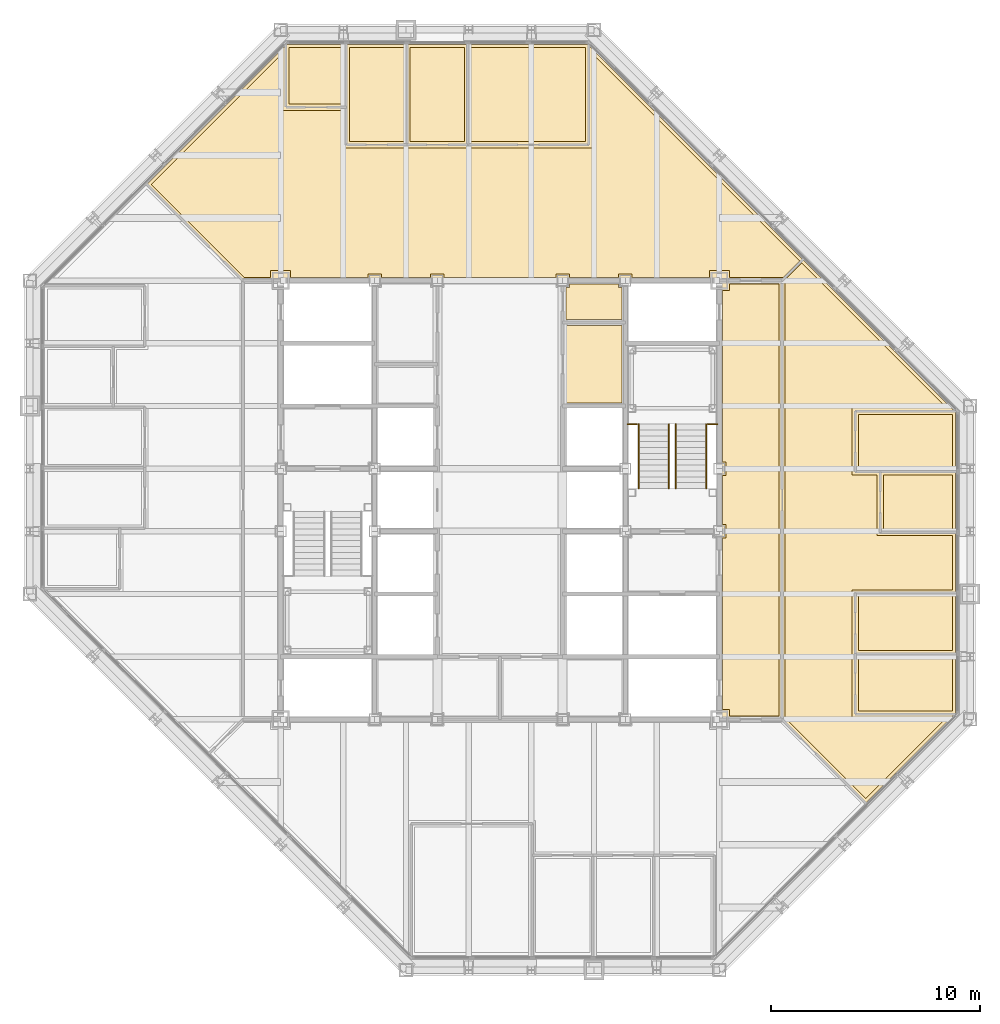
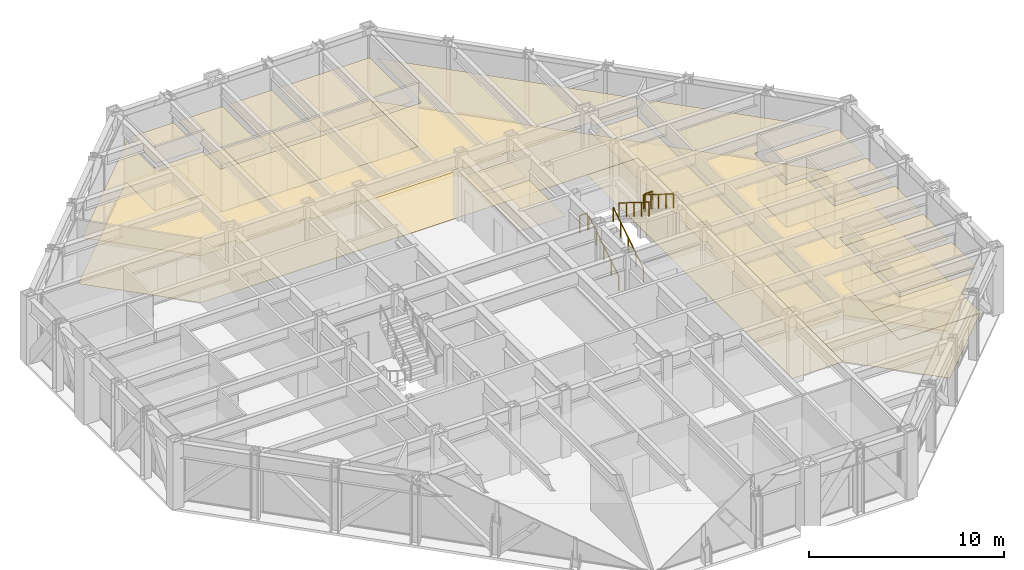
# One storey, part 16 of 16: 23 coverings, 6 railings.
"""IFC4 building model written with IfcOpenShell, lengths in metres."""

from ifc_helpers import new_model, si_unit, direction, frame, origin, origin_2d, place, context, subcontext, project, spatial, polyline, circle, outline, extrude, material, layer, layer_set, type_object, element, save


model = new_model("IFC4")

# Units and contexts
model_context = context("Model", 3, precision=1e-05, world=origin(), true_north=direction((0.0, 1.0)))
body_context = subcontext(model_context, "Body", "Model", "MODEL_VIEW")
ifc_project = project(units=[si_unit("LENGTHUNIT", "METRE"), si_unit("AREAUNIT", "SQUARE_METRE"), si_unit("VOLUMEUNIT", "CUBIC_METRE"), si_unit("PLANEANGLEUNIT", "RADIAN"), si_unit("MASSUNIT", "GRAM", prefix="KILO")], contexts=[model_context])

# Site, building, storey
site_placement = place(None, origin())
site = spatial("IfcSite", under=ifc_project, at=site_placement, CompositionType="ELEMENT")
building_placement = place(site_placement, origin())
building = spatial("IfcBuilding", under=site, at=building_placement, Name="Chuquiago Exchange Tower", CompositionType="ELEMENT")
storey_placement = place(building_placement, frame((0.0, 0.0, 226.5)))
storey = spatial("IfcBuildingStorey", under=building, at=storey_placement, Name="L50", CompositionType="ELEMENT", Elevation=226.5)

# Coverings
ifc_material_1 = material(Name="Mineral fibre tile, 600 x 600, on pale metal grid", Category="mineral fibre")
ifc_layer_1 = layer(ifc_material_1, 0.02001953125)
ifc_layer_set_1 = layer_set([ifc_layer_1], Name="CL1 suspended tile ceiling 20")
covering_type_1 = type_object("IfcCoveringType", Name="CL1 suspended tile ceiling 20", PredefinedType="CEILING", material=ifc_layer_set_1)
covering_1_placement = place(storey_placement, frame((0.0, 0.0, 2.800048828125)))
element("IfcCovering", 1, at=covering_1_placement, inside=storey, type_object=covering_type_1, Name="Ceiling Compliance office", PredefinedType="CEILING", context=body_context, shape_type="SweptSolid", body=[
    extrude(outline(polyline([(39.64990234375, 12.3984375), (39.64990234375, 14.9990234375), (44.14990234375, 14.9990234375), (44.14990234375, 12.3984375), (39.64990234375, 12.3984375)])), origin(), (0.0, 0.0, 1.0), 0.02001953125),
])
covering_2_placement = place(storey_placement, frame((0.0, 0.0, 2.800048828125)))
element("IfcCovering", 2, at=covering_2_placement, inside=storey, type_object=covering_type_1, Name="Ceiling Compliance office", PredefinedType="CEILING", context=body_context, shape_type="SweptSolid", body=[
    extrude(outline(polyline([(39.64990234375, 15.299072265625), (39.64990234375, 17.899658203125), (44.14990234375, 17.899658203125), (44.14990234375, 15.299072265625), (39.64990234375, 15.299072265625)])), origin(), (0.0, 0.0, 1.0), 0.02001953125),
])
covering_3_placement = place(storey_placement, frame((0.0, 0.0, 2.800048828125)))
element("IfcCovering", 3, at=covering_3_placement, inside=storey, type_object=covering_type_1, Name="Ceiling Pantry", PredefinedType="CEILING", context=body_context, shape_type="SweptSolid", body=[
    extrude(outline(polyline([(40.85009765625, 21.100341796875), (40.85009765625, 23.700927734375), (44.14990234375, 23.700927734375), (44.14990234375, 21.100341796875), (40.85009765625, 21.100341796875)])), origin(), (0.0, 0.0, 1.0), 0.02001953125),
])
covering_4_placement = place(storey_placement, frame((0.0, 0.0, 2.800048828125)))
element("IfcCovering", 4, at=covering_4_placement, inside=storey, type_object=covering_type_1, Name="Ceiling Meeting room", PredefinedType="CEILING", context=body_context, shape_type="SweptSolid", body=[
    extrude(outline(polyline([(44.14990234375, 24.0009765625), (39.64990234375, 24.0009765625), (39.64990234375, 26.6015625), (44.14990234375, 26.6015625), (44.14990234375, 24.0009765625)])), origin(), (0.0, 0.0, 1.0), 0.02001953125),
])
covering_5_placement = place(storey_placement, frame((0.0, 0.0, 2.800048828125)))
element("IfcCovering", 5, at=covering_5_placement, inside=storey, type_object=covering_type_1, Name="Ceiling Focus room", PredefinedType="CEILING", context=body_context, shape_type="SweptSolid", body=[
    extrude(outline(polyline([(14.9990234375, 44.14990234375), (14.9990234375, 41.449951171875), (12.3984375, 41.449951171875), (12.3984375, 44.14990234375), (14.9990234375, 44.14990234375)])), origin(), (0.0, 0.0, 1.0), 0.02001953125),
])
covering_6_placement = place(storey_placement, frame((0.0, 0.0, 2.800048828125)))
element("IfcCovering", 6, at=covering_6_placement, inside=storey, type_object=covering_type_1, Name="Ceiling Compliance office", PredefinedType="CEILING", context=body_context, shape_type="SweptSolid", body=[
    extrude(outline(polyline([(17.899658203125, 39.64990234375), (15.299072265625, 39.64990234375), (15.299072265625, 44.14990234375), (17.899658203125, 44.14990234375), (17.899658203125, 39.64990234375)])), origin(), (0.0, 0.0, 1.0), 0.02001953125),
])
covering_7_placement = place(storey_placement, frame((0.0, 0.0, 2.800048828125)))
element("IfcCovering", 7, at=covering_7_placement, inside=storey, type_object=covering_type_1, Name="Ceiling Compliance office", PredefinedType="CEILING", context=body_context, shape_type="SweptSolid", body=[
    extrude(outline(polyline([(20.80029296875, 39.64990234375), (18.19970703125, 39.64990234375), (18.19970703125, 44.14990234375), (20.80029296875, 44.14990234375), (20.80029296875, 39.64990234375)])), origin(), (0.0, 0.0, 1.0), 0.02001953125),
])
covering_8_placement = place(storey_placement, frame((0.0, 0.0, 2.800048828125)))
element("IfcCovering", 8, at=covering_8_placement, inside=storey, type_object=covering_type_1, Name="Ceiling Meeting room", PredefinedType="CEILING", context=body_context, shape_type="SweptSolid", body=[
    extrude(outline(polyline([(26.6015625, 39.64990234375), (21.100341796875, 39.64990234375), (21.100341796875, 44.14990234375), (26.6015625, 44.14990234375), (26.6015625, 39.64990234375)])), origin(), (0.0, 0.0, 1.0), 0.02001953125),
])
covering_9_placement = place(storey_placement, frame((0.0, 0.0, 2.800048828125)))
element("IfcCovering", 9, at=covering_9_placement, inside=storey, type_object=covering_type_1, Name="Ceiling Circulation corridor", PredefinedType="CEILING", context=body_context, shape_type="SweptSolid", body=[
    extrude(outline(polyline([(35.85009765625, 32.85009765625), (35.85009765625, 12.14990234375), (33.47509765625, 12.14990234375), (33.47509765625, 12.47509765625), (33.14990234375, 12.47509765625), (33.14990234375, 20.675048828125), (33.324951171875, 20.675048828125), (33.324951171875, 21.324951171875), (33.14990234375, 21.324951171875), (33.14990234375, 23.675048828125), (33.324951171875, 23.675048828125), (33.324951171875, 24.324951171875), (33.14990234375, 24.324951171875), (33.14990234375, 32.52490234375), (33.47509765625, 32.52490234375), (33.47509765625, 32.85009765625), (35.85009765625, 32.85009765625)])), origin(), (0.0, 0.0, 1.0), 0.02001953125),
])
covering_10_placement = place(storey_placement, frame((0.0, 0.0, 2.800048828125)))
element("IfcCovering", 10, at=covering_10_placement, inside=storey, type_object=covering_type_1, Name="Ceiling Open office north", PredefinedType="CEILING", context=body_context, shape_type="SweptSolid", body=[
    extrude(outline(polyline([(14.9990234375, 41.14990234375), (14.9990234375, 39.35009765625), (26.901611328125, 39.35009765625), (26.901611328125, 43.896484375), (36.849609375, 33.948486328125), (36.051025390625, 33.14990234375), (33.47509765625, 33.14990234375), (33.47509765625, 33.47509765625), (32.52490234375, 33.47509765625), (32.52490234375, 33.14990234375), (28.824951171875, 33.14990234375), (28.824951171875, 33.324951171875), (28.175048828125, 33.324951171875), (28.175048828125, 33.14990234375), (25.824951171875, 33.14990234375), (25.824951171875, 33.324951171875), (25.175048828125, 33.324951171875), (25.175048828125, 33.14990234375), (19.824951171875, 33.14990234375), (19.824951171875, 33.324951171875), (19.175048828125, 33.324951171875), (19.175048828125, 33.14990234375), (16.824951171875, 33.14990234375), (16.824951171875, 33.324951171875), (16.175048828125, 33.324951171875), (16.175048828125, 33.14990234375), (12.47509765625, 33.14990234375), (12.47509765625, 33.47509765625), (11.52490234375, 33.47509765625), (11.52490234375, 33.14990234375), (10.2626953125, 33.14990234375), (5.807373046875, 37.60546875), (12.098388671875, 43.896484375), (12.098388671875, 41.14990234375), (14.9990234375, 41.14990234375)])), origin(), (0.0, 0.0, 1.0), 0.02001953125),
])
covering_11_placement = place(storey_placement, frame((0.0, 0.0, 2.800048828125)))
element("IfcCovering", 11, at=covering_11_placement, inside=storey, type_object=covering_type_1, Name="Ceiling Open office north", PredefinedType="CEILING", context=body_context, shape_type="SweptSolid", body=[
    extrude(outline(polyline([(43.896484375, 26.901611328125), (39.35009765625, 26.901611328125), (39.35009765625, 23.700927734375), (40.550048828125, 23.700927734375), (40.550048828125, 20.80029296875), (44.14990234375, 20.80029296875), (44.14990234375, 18.19970703125), (39.35009765625, 18.19970703125), (39.35009765625, 12.098388671875), (43.896484375, 12.098388671875), (40.00537109375, 8.20751953125), (36.14990234375, 12.0625), (36.14990234375, 33.051025390625), (36.948486328125, 33.849609375), (43.896484375, 26.901611328125)])), origin(), (0.0, 0.0, 1.0), 0.02001953125),
])
ifc_material_2 = material(Name="Moisture resistant plasterboard on metal frame", Category="gypsum")
ifc_layer_2 = layer(ifc_material_2, 0.014892578125)
ifc_layer_set_2 = layer_set([ifc_layer_2], Name="CL2 moisture resistant ceiling 15")
covering_type_2 = type_object("IfcCoveringType", Name="CL2 moisture resistant ceiling 15", PredefinedType="CEILING", material=ifc_layer_set_2)
covering_12_placement = place(storey_placement, frame((0.0, 0.0, 2.60009765625)))
element("IfcCovering", 12, at=covering_12_placement, inside=storey, type_object=covering_type_2, Name="Ceiling Female WC", PredefinedType="CEILING", context=body_context, shape_type="SweptSolid", body=[
    extrude(outline(polyline([(25.64990234375, 27.14990234375), (25.64990234375, 30.85009765625), (28.35009765625, 30.85009765625), (28.35009765625, 27.14990234375), (25.64990234375, 27.14990234375)])), origin(), (0.0, 0.0, 1.0), 0.014892578125),
])
covering_13_placement = place(storey_placement, frame((0.0, 0.0, 2.60009765625)))
element("IfcCovering", 13, at=covering_13_placement, inside=storey, type_object=covering_type_2, Name="Ceiling Staff shower room", PredefinedType="CEILING", context=body_context, shape_type="SweptSolid", body=[
    extrude(outline(polyline([(25.64990234375, 31.14990234375), (25.64990234375, 32.675048828125), (25.824951171875, 32.675048828125), (25.824951171875, 32.85009765625), (28.175048828125, 32.85009765625), (28.175048828125, 32.675048828125), (28.35009765625, 32.675048828125), (28.35009765625, 31.14990234375), (25.64990234375, 31.14990234375)])), origin(), (0.0, 0.0, 1.0), 0.014892578125),
])
ifc_material_3 = material(Name="Carpet tile, 500 x 500, on the floor slab", Category="textile")
ifc_layer_3 = layer(ifc_material_3, 0.010009765625)
ifc_layer_set_3 = layer_set([ifc_layer_3], Name="FL1 carpet tile 10")
covering_type_3 = type_object("IfcCoveringType", Name="FL1 carpet tile 10", PredefinedType="FLOORING", material=ifc_layer_set_3)
covering_14_placement = place(storey_placement, origin())
element("IfcCovering", 14, at=covering_14_placement, inside=storey, type_object=covering_type_3, Name="Floor finish Compliance office", PredefinedType="FLOORING", context=body_context, shape_type="SweptSolid", body=[
    extrude(outline(polyline([(44.300048828125, 12.289794921875), (44.258544921875, 12.24853515625), (39.5, 12.24853515625), (39.5, 15.149169921875), (44.300048828125, 15.149169921875), (44.300048828125, 12.289794921875)])), origin(), (0.0, 0.0, 1.0), 0.010009765625),
])
covering_15_placement = place(storey_placement, origin())
element("IfcCovering", 15, at=covering_15_placement, inside=storey, type_object=covering_type_3, Name="Floor finish Compliance office", PredefinedType="FLOORING", context=body_context, shape_type="SweptSolid", body=[
    extrude(outline(polyline([(44.300048828125, 15.149169921875), (39.5, 15.149169921875), (39.5, 18.0498046875), (44.300048828125, 18.0498046875), (44.300048828125, 15.149169921875)])), origin(), (0.0, 0.0, 1.0), 0.010009765625),
])
covering_16_placement = place(storey_placement, origin())
element("IfcCovering", 16, at=covering_16_placement, inside=storey, type_object=covering_type_3, Name="Floor finish Meeting room", PredefinedType="FLOORING", context=body_context, shape_type="SweptSolid", body=[
    extrude(outline(polyline([(44.300048828125, 26.710205078125), (44.300048828125, 23.850830078125), (39.5, 23.850830078125), (39.5, 26.75146484375), (44.258544921875, 26.75146484375), (44.300048828125, 26.710205078125)])), origin(), (0.0, 0.0, 1.0), 0.010009765625),
])
covering_17_placement = place(storey_placement, origin())
element("IfcCovering", 17, at=covering_17_placement, inside=storey, type_object=covering_type_3, Name="Floor finish Focus room", PredefinedType="FLOORING", context=body_context, shape_type="SweptSolid", body=[
    extrude(outline(polyline([(12.289794921875, 44.300048828125), (15.149169921875, 44.300048828125), (15.149169921875, 41.300048828125), (12.24853515625, 41.300048828125), (12.24853515625, 44.258544921875), (12.289794921875, 44.300048828125)])), origin(), (0.0, 0.0, 1.0), 0.010009765625),
])
covering_18_placement = place(storey_placement, origin())
element("IfcCovering", 18, at=covering_18_placement, inside=storey, type_object=covering_type_3, Name="Floor finish Compliance office", PredefinedType="FLOORING", context=body_context, shape_type="SweptSolid", body=[
    extrude(outline(polyline([(18.0498046875, 44.300048828125), (18.0498046875, 39.5), (15.149169921875, 39.5), (15.149169921875, 44.300048828125), (18.0498046875, 44.300048828125)])), origin(), (0.0, 0.0, 1.0), 0.010009765625),
])
covering_19_placement = place(storey_placement, origin())
element("IfcCovering", 19, at=covering_19_placement, inside=storey, type_object=covering_type_3, Name="Floor finish Compliance office", PredefinedType="FLOORING", context=body_context, shape_type="SweptSolid", body=[
    extrude(outline(polyline([(20.9501953125, 44.300048828125), (20.9501953125, 39.5), (18.0498046875, 39.5), (18.0498046875, 44.300048828125), (20.9501953125, 44.300048828125)])), origin(), (0.0, 0.0, 1.0), 0.010009765625),
])
covering_20_placement = place(storey_placement, origin())
element("IfcCovering", 20, at=covering_20_placement, inside=storey, type_object=covering_type_3, Name="Floor finish Meeting room", PredefinedType="FLOORING", context=body_context, shape_type="SweptSolid", body=[
    extrude(outline(polyline([(26.710205078125, 44.300048828125), (26.75146484375, 44.258544921875), (26.75146484375, 39.5), (20.9501953125, 39.5), (20.9501953125, 44.300048828125), (26.710205078125, 44.300048828125)])), origin(), (0.0, 0.0, 1.0), 0.010009765625),
])
covering_21_placement = place(storey_placement, origin())
element("IfcCovering", 21, at=covering_21_placement, inside=storey, type_object=covering_type_3, Name="Floor finish Open office north", PredefinedType="FLOORING", context=body_context, shape_type="SweptSolid", body=[
    extrude(outline(polyline([(12.24853515625, 41.300048828125), (15.149169921875, 41.300048828125), (15.149169921875, 39.5), (26.75146484375, 39.5), (26.75146484375, 44.258544921875), (44.258544921875, 26.75146484375), (39.5, 26.75146484375), (39.5, 23.850830078125), (40.699951171875, 23.850830078125), (40.699951171875, 20.9501953125), (44.300048828125, 20.9501953125), (44.300048828125, 18.0498046875), (39.5, 18.0498046875), (39.5, 12.24853515625), (44.258544921875, 12.24853515625), (44.300048828125, 12.289794921875), (40.00537109375, 7.995361328125), (36.0, 12.00048828125), (36.0, 33.0), (10.200439453125, 33.0), (5.59521484375, 37.60546875), (12.289794921875, 44.300048828125), (12.24853515625, 44.258544921875), (12.24853515625, 41.300048828125)])), origin(), (0.0, 0.0, 1.0), 0.010009765625),
])
ifc_material_4 = material(Name="Porcelain floor tile, 600 x 600, on adhesive bed", Category="ceramic")
ifc_layer_4 = layer(ifc_material_4, 0.014892578125)
ifc_layer_set_4 = layer_set([ifc_layer_4], Name="FL2 porcelain tile 15")
covering_type_4 = type_object("IfcCoveringType", Name="FL2 porcelain tile 15", PredefinedType="FLOORING", material=ifc_layer_set_4)
covering_22_placement = place(storey_placement, origin())
element("IfcCovering", 22, at=covering_22_placement, inside=storey, type_object=covering_type_4, Name="Floor finish Pantry", PredefinedType="FLOORING", context=body_context, shape_type="SweptSolid", body=[
    extrude(outline(polyline([(44.300048828125, 20.9501953125), (40.699951171875, 20.9501953125), (40.699951171875, 23.850830078125), (44.300048828125, 23.850830078125), (44.300048828125, 20.9501953125)])), origin(), (0.0, 0.0, 1.0), 0.014892578125),
])
covering_23_placement = place(storey_placement, origin())
element("IfcCovering", 23, at=covering_23_placement, inside=storey, type_object=covering_type_4, Name="Floor finish Circulation corridor", PredefinedType="FLOORING", context=body_context, shape_type="SweptSolid", body=[
    extrude(outline(polyline([(33.0, 33.0), (36.0, 33.0), (36.0, 12.0), (33.0, 12.0), (33.0, 33.0)])), origin(), (0.0, 0.0, 1.0), 0.014892578125),
])

# Railings
ifc_material_5 = material(Name="Pale metal guard with safety glass infill", Category="glass")
railing_type_1 = type_object("IfcRailingType", Name="GR1 guard 1100", PredefinedType="GUARDRAIL", material=ifc_material_5)
for number, where, name in (
    (24, (28.60009765625, 26.1298828125, 2.10009765625), "Guard ST2 L50 landing 2"),
    (25, (32.445068359375, 26.1298828125, 2.10009765625), "Guard ST2 L50 landing 2"),
):
    element("IfcRailing", number, at=place(storey_placement, frame(where)), inside=storey, type_object=railing_type_1, Name=name, PredefinedType="GUARDRAIL", context=body_context, shape_type="SweptSolid", body=[
        extrude(circle(Radius=0.02392578125, at=origin_2d()), frame((0.0, 0.0, 1.076171875), z_axis=(1.0, 0.0, 0.0), x_axis=(0.0, 1.0, 0.0)), (0.0, 0.0, 1.0), 0.454833984375),
        extrude(circle(Radius=0.02099609375, at=origin_2d()), origin(), (0.0, 0.0, 1.0), 1.052001953125),
        extrude(circle(Radius=0.02099609375, at=origin_2d()), frame((0.454833984375, 0.0, 0.0)), (0.0, 0.0, 1.0), 1.052001953125),
    ])
ifc_material_6 = material(Name="Pale metal handrail", Category="steel")
railing_type_2 = type_object("IfcRailingType", Name="HR1 handrail 900", PredefinedType="HANDRAIL", material=ifc_material_6)
for number, where, name in (
    (26, (30.5849609375, 23.050048828125, 0.175048828125), "Handrail ST2 L50 flight 1"),
    (27, (29.135009765625, 23.050048828125, 0.175048828125), "Handrail ST2 L50 flight 1"),
):
    element("IfcRailing", number, at=place(storey_placement, frame(where)), inside=storey, type_object=railing_type_2, Name=name, PredefinedType="HANDRAIL", context=body_context, shape_type="SweptSolid", body=[
        extrude(circle(Radius=0.02392578125, at=origin_2d()), frame((0.0, 0.0, 0.8759765625), z_axis=(0.0, 0.847979421464, 0.530029150871), x_axis=(-1.0, 0.0, 0.0)), (0.0, 0.0, 1.0), 3.632080078125),
        extrude(circle(Radius=0.02099609375, at=origin_2d()), origin(), (0.0, 0.0, 1.0), 0.851806640625),
        extrude(circle(Radius=0.02099609375, at=origin_2d()), frame((0.0, 0.77001953125, 0.481201171875)), (0.0, 0.0, 1.0), 0.851806640625),
        extrude(circle(Radius=0.02099609375, at=origin_2d()), frame((0.0, 1.5400390625, 0.96240234375)), (0.0, 0.0, 1.0), 0.851806640625),
        extrude(circle(Radius=0.02099609375, at=origin_2d()), frame((0.0, 2.309814453125, 1.44384765625)), (0.0, 0.0, 1.0), 0.851806640625),
        extrude(circle(Radius=0.02099609375, at=origin_2d()), frame((0.0, 3.079833984375, 1.925048828125)), (0.0, 0.0, 1.0), 0.851806640625),
    ])
for number, where, name in (
    (28, (30.9150390625, 26.1298828125, 2.27490234375), "Handrail ST2 L50 flight 2"),
    (29, (32.364990234375, 26.1298828125, 2.27490234375), "Handrail ST2 L50 flight 2"),
):
    element("IfcRailing", number, at=place(storey_placement, frame(where)), inside=storey, type_object=railing_type_2, Name=name, PredefinedType="HANDRAIL", context=body_context, shape_type="SweptSolid", body=[
        extrude(circle(Radius=0.02392578125, at=origin_2d()), frame((0.0, 0.0, 0.8759765625), z_axis=(0.0, -0.847979421464, 0.530029150871), x_axis=(1.0, 0.0, 0.0)), (0.0, 0.0, 1.0), 3.632080078125),
        extrude(circle(Radius=0.02099609375, at=origin_2d()), origin(), (0.0, 0.0, 1.0), 0.851806640625),
        extrude(circle(Radius=0.02099609375, at=origin_2d()), frame((0.0, -0.77001953125, 0.481201171875)), (0.0, 0.0, 1.0), 0.851806640625),
        extrude(circle(Radius=0.02099609375, at=origin_2d()), frame((0.0, -1.5400390625, 0.96240234375)), (0.0, 0.0, 1.0), 0.851806640625),
        extrude(circle(Radius=0.02099609375, at=origin_2d()), frame((0.0, -2.309814453125, 1.44384765625)), (0.0, 0.0, 1.0), 0.851806640625),
        extrude(circle(Radius=0.02099609375, at=origin_2d()), frame((0.0, -3.079833984375, 1.925048828125)), (0.0, 0.0, 1.0), 0.851806640625),
    ])

save(model, "model.ifc")
